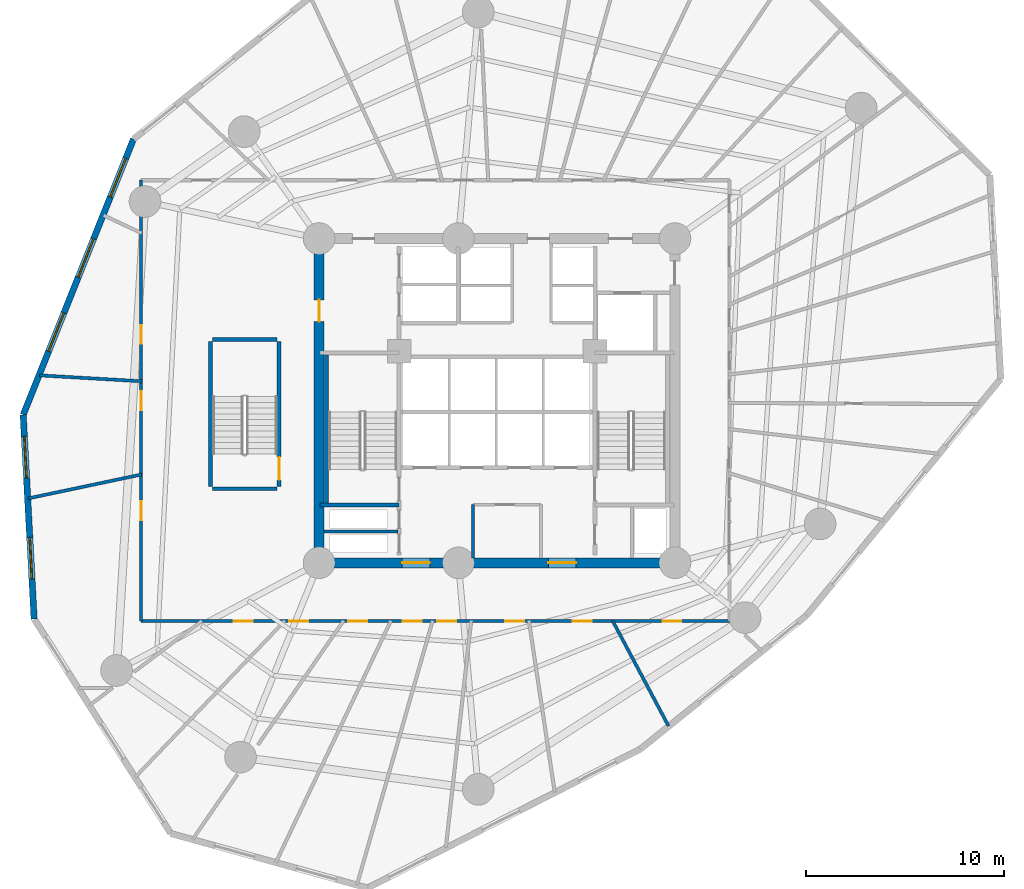
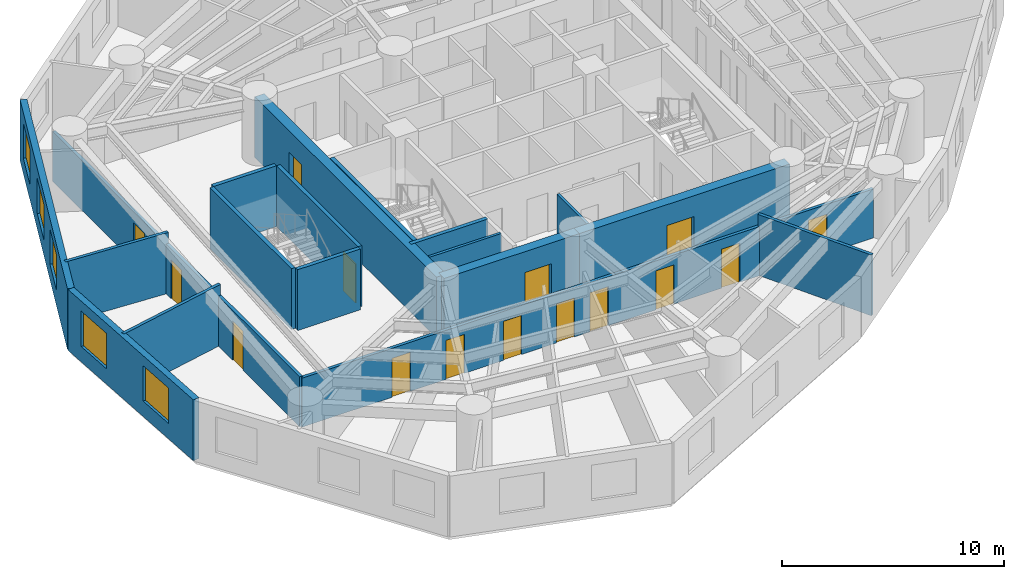
# One storey, part 3 of 8: 18 walls, 15 doors, 5 windows, 20 openings.
"""IFC4 building model written with IfcOpenShell, lengths in metres."""

import ifcopenshell
import ifcopenshell.guid

model = None  # the IFC model being written
_history = None  # IfcOwnerHistory: only IFC2X3 demands one
_inside = {}  # id of a spatial element -> (the spatial element, [elements in it])
_under = {}  # id of a project, library or spatial element -> (it, [spatial elements below it])
_declared = {}  # id of a project -> (the project, [libraries it declares])
_typed = {}  # id of a type object -> (the type object, [elements of that type])
_made_of = {}  # id of a material, layer set ... -> (it, [elements and type objects made of it])


def new_model(schema):
    """Start an empty IFC model of exactly this schema.

    Asked for "IFC4X3", IfcOpenShell would pick the latest addendum, in which some entities
    have other attributes; the version numbers below select the first issue.
    IFC2X3 requires an IfcOwnerHistory on every rooted entity: one is made here for all.
    """
    global model, _history
    if schema == "IFC4X3":
        model = ifcopenshell.file(schema_version=(4, 3, 0, 0))
    else:
        model = ifcopenshell.file(schema=schema)
    _inside.clear()
    _under.clear()
    _declared.clear()
    _typed.clear()
    _made_of.clear()
    _history = None
    if model.schema == "IFC2X3":
        org = make("IfcOrganization", Name="unknown")
        user = make(
            "IfcPersonAndOrganization",
            ThePerson=make("IfcPerson", FamilyName="unknown"),
            TheOrganization=org,
        )
        app = make(
            "IfcApplication",
            ApplicationDeveloper=org,
            Version="unknown",
            ApplicationFullName="unknown",
            ApplicationIdentifier="unknown",
        )
        _history = make(
            "IfcOwnerHistory",
            OwningUser=user,
            OwningApplication=app,
            ChangeAction="ADDED",
            CreationDate=0,
        )
    return model


def make(cls, **values):
    """One entity of the class cls with the attributes given. An attribute that is None is left unset."""
    return model.create_entity(
        cls, **{name: value for name, value in values.items() if value is not None}
    )


def rooted(cls, **values):
    """An entity with a GlobalId (a new one), such as an element, a storey or a relation."""
    return make(cls, GlobalId=ifcopenshell.guid.new(), OwnerHistory=_history, **values)


def si_unit(unit_type, name, prefix=None):
    """IfcSIUnit, for example si_unit("LENGTHUNIT", "METRE", prefix="MILLI")."""
    return make("IfcSIUnit", UnitType=unit_type, Prefix=prefix, Name=name)


def assignment(units):
    """IfcUnitAssignment: the units of a project."""
    return None if units is None else make("IfcUnitAssignment", Units=units)


def point(xyz):
    """IfcCartesianPoint."""
    return None if xyz is None else make("IfcCartesianPoint", Coordinates=xyz)


def direction(xyz):
    """IfcDirection."""
    return None if xyz is None else make("IfcDirection", DirectionRatios=xyz)


def frame(location, z_axis=None, x_axis=None):
    """IfcAxis2Placement3D, a coordinate frame: its origin and axes. An axis left out is left unset."""
    return make(
        "IfcAxis2Placement3D",
        Location=point(location),
        Axis=direction(z_axis),
        RefDirection=direction(x_axis),
    )


def frame_2d(location, x_axis=None):
    """IfcAxis2Placement2D, a coordinate frame in the plane: its origin and x axis."""
    return make(
        "IfcAxis2Placement2D", Location=point(location), RefDirection=direction(x_axis)
    )


def origin():
    """The frame at (0, 0, 0) with its axes left unset."""
    return frame((0.0, 0.0, 0.0))


def origin_with_axes():
    """The frame at (0, 0, 0) with the z axis (0, 0, 1) and the x axis (1, 0, 0) written out."""
    return frame((0.0, 0.0, 0.0), z_axis=(0.0, 0.0, 1.0), x_axis=(1.0, 0.0, 0.0))


def place(relative_to, where):
    """IfcLocalPlacement: puts the frame where relative to a parent placement (None: the world)."""
    return make(
        "IfcLocalPlacement", PlacementRelTo=relative_to, RelativePlacement=where
    )


def context(
    kind, dimensions, precision=None, world=None, true_north=None, identifier=None
):
    """IfcGeometricRepresentationContext, for example the 3D "Model" context."""
    return make(
        "IfcGeometricRepresentationContext",
        ContextIdentifier=identifier,
        ContextType=kind,
        CoordinateSpaceDimension=dimensions,
        Precision=precision,
        WorldCoordinateSystem=world,
        TrueNorth=true_north,
    )


def subcontext(parent, identifier, kind, view, scale=None):
    """IfcGeometricRepresentationSubContext, for example "Body" below "Model"."""
    return make(
        "IfcGeometricRepresentationSubContext",
        ContextIdentifier=identifier,
        ContextType=kind,
        ParentContext=parent,
        TargetScale=scale,
        TargetView=view,
    )


def project(units=None, contexts=None):
    """IfcProject with its units and contexts."""
    return rooted(
        "IfcProject",
        Name="project",
        RepresentationContexts=contexts,
        UnitsInContext=assignment(units),
    )


def spatial(cls, under=None, at=None, **own):
    """A site, building, storey or space (cls), placed at a placement, below another one or the project."""
    s = rooted(cls, ObjectPlacement=at, **own)
    if under is not None:
        _under.setdefault(under.id(), (under, []))[1].append(s)
    return s


def profile(cls, at=None, kind="AREA", **sizes):
    """A parametric profile (cls). Its sizes go by their IFC names, for example OverallWidth=200.0."""
    return make(cls, ProfileType=kind, Position=at, **sizes)


def rectangle(**sizes):
    """IfcRectangleProfileDef."""
    return profile("IfcRectangleProfileDef", **sizes)


def extrude(swept, where, along, depth):
    """IfcExtrudedAreaSolid: the profile swept, set in the frame where, extruded along a direction by depth."""
    return make(
        "IfcExtrudedAreaSolid",
        SweptArea=swept,
        Position=where,
        ExtrudedDirection=direction(along),
        Depth=depth,
    )


def shape(context_of_items, identifier, shape_type, items):
    """IfcShapeRepresentation: the items that make up one representation, for example the "Body"."""
    return make(
        "IfcShapeRepresentation",
        ContextOfItems=context_of_items,
        RepresentationIdentifier=identifier,
        RepresentationType=shape_type,
        Items=items,
    )


def source(mapping_origin, context_of_items, identifier, shape_type, items):
    """IfcRepresentationMap: a shape defined once, which mapped items show again and again."""
    return make(
        "IfcRepresentationMap",
        MappingOrigin=mapping_origin,
        MappedRepresentation=shape(context_of_items, identifier, shape_type, items),
    )


def transform(
    local_origin,
    x_axis=None,
    y_axis=None,
    z_axis=None,
    scale=None,
    scale2=None,
    scale3=None,
    uniform=True,
):
    """IfcCartesianTransformationOperator3D, or its non-uniform kind. x_axis, y_axis, z_axis: its Axis1, 2, 3."""
    if uniform:
        return make(
            "IfcCartesianTransformationOperator3D",
            Axis1=direction(x_axis),
            Axis2=direction(y_axis),
            LocalOrigin=point(local_origin),
            Scale=scale,
            Axis3=direction(z_axis),
        )
    return make(
        "IfcCartesianTransformationOperator3DnonUniform",
        Axis1=direction(x_axis),
        Axis2=direction(y_axis),
        LocalOrigin=point(local_origin),
        Scale=scale,
        Axis3=direction(z_axis),
        Scale2=scale2,
        Scale3=scale3,
    )


def mapped(mapping_source, mapping_target):
    """IfcMappedItem: shows the shape of a source again, moved by a transform."""
    return make(
        "IfcMappedItem", MappingSource=mapping_source, MappingTarget=mapping_target
    )


def material(Name=None, Category=None):
    """IfcMaterial."""
    return make("IfcMaterial", Name=Name, Category=Category)


def layer(
    of_material, thickness, ventilated=None, Name=None, Category=None, Priority=None
):
    """IfcMaterialLayer: one layer of a wall or slab, of a material (None: an air gap)."""
    return make(
        "IfcMaterialLayer",
        Material=of_material,
        LayerThickness=thickness,
        IsVentilated=ventilated,
        Name=Name,
        Category=Category,
        Priority=Priority,
    )


def layer_set(layers, Name=None):
    """IfcMaterialLayerSet."""
    return make("IfcMaterialLayerSet", MaterialLayers=layers, LayerSetName=Name)


def made_of(thing, what):
    """Note that an element or type object is made of a material, layer set ...; save() writes the relation."""
    if what is not None:
        _made_of.setdefault(what.id(), (what, []))[1].append(thing)
    return thing


def type_object(cls, material=None, **own):
    """A type object (cls), such as IfcWallType, which elements share."""
    return made_of(rooted(cls, **own), material)


def element(
    cls,
    number,
    at=None,
    inside=None,
    cuts=None,
    type_object=None,
    material=None,
    context=None,
    identifier="Body",
    shape_type=None,
    held_by="IfcProductDefinitionShape",
    body=None,
    shapes=None,
    **own,
):
    """One element of the class cls, such as IfcWall. Its Tag is "e" and its number.

    at: its placement. inside: the storey or other place that contains it. cuts: it is an
    opening in that element (IfcRelVoidsElement). A single representation is given by context,
    identifier, shape_type and body (its items); several are given by shapes. held_by: the class
    of the entity that holds the representations. save() writes the other relations.
    """
    e = rooted(cls, Tag="e%d" % number, ObjectPlacement=at, **own)
    if body is not None:
        shapes = [shape(context, identifier, shape_type, body)]
    if shapes is not None:
        e.Representation = make(held_by, Representations=shapes)
    if inside is not None:
        _inside.setdefault(inside.id(), (inside, []))[1].append(e)
    if cuts is not None:
        rooted(
            "IfcRelVoidsElement", RelatingBuildingElement=cuts, RelatedOpeningElement=e
        )
    if type_object is not None:
        _typed.setdefault(type_object.id(), (type_object, []))[1].append(e)
    return made_of(e, material)


def fill(opening, filler):
    """IfcRelFillsElement: the door or window that sits in an opening."""
    return rooted(
        "IfcRelFillsElement",
        RelatingOpeningElement=opening,
        RelatedBuildingElement=filler,
    )


def aggregate(whole, parts):
    """IfcRelAggregates: a whole, such as a stair, and the parts it consists of."""
    return rooted("IfcRelAggregates", RelatingObject=whole, RelatedObjects=parts)


def save(model, path):
    """Write the relations noted so far, then the file.

    IfcRelAggregates (storeys below a building ...), IfcRelContainedInSpatialStructure (elements
    in a storey), IfcRelDefinesByType, IfcRelAssociatesMaterial and IfcRelDeclares: one each for
    every whole, place, type object, material and project.
    """
    for whole, parts in _under.values():
        aggregate(whole, parts)
    for where, things in _inside.values():
        rooted(
            "IfcRelContainedInSpatialStructure",
            RelatedElements=things,
            RelatingStructure=where,
        )
    for kind, things in _typed.values():
        rooted("IfcRelDefinesByType", RelatedObjects=things, RelatingType=kind)
    for what, things in _made_of.values():
        rooted("IfcRelAssociatesMaterial", RelatedObjects=things, RelatingMaterial=what)
    for by, libraries in _declared.values():
        rooted("IfcRelDeclares", RelatingContext=by, RelatedDefinitions=libraries)
    model.write(path)


model = new_model("IFC4")

# Units and contexts
model_context = context("Model", 3, precision=1e-05, world=origin(), true_north=direction((0.0, 1.0)))
body_context = subcontext(model_context, "Body", "Model", "MODEL_VIEW")
ifc_project = project(units=[si_unit("LENGTHUNIT", "METRE"), si_unit("AREAUNIT", "SQUARE_METRE"), si_unit("VOLUMEUNIT", "CUBIC_METRE"), si_unit("PLANEANGLEUNIT", "RADIAN"), si_unit("MASSUNIT", "GRAM", prefix="KILO")], contexts=[model_context])

# Site, building, storey
site_placement = place(None, origin())
site = spatial("IfcSite", under=ifc_project, at=site_placement, CompositionType="ELEMENT")
building_placement = place(site_placement, origin())
building = spatial("IfcBuilding", under=site, at=building_placement, Name="Karkom Vertical University and Central Library", CompositionType="ELEMENT")
storey_placement = place(building_placement, frame((0.0, 0.0, 55.300048828125)))
storey = spatial("IfcBuildingStorey", under=building, at=storey_placement, Name="L14", CompositionType="ELEMENT", Elevation=55.300048828125)

# Wall, openings, windows
ifc_material_1 = material(Name="Brick-faced precast concrete C45/55", Category="masonry")
ifc_layer_1 = layer(ifc_material_1, 0.320068359375)
ifc_layer_set_1 = layer_set([ifc_layer_1], Name="Brick-faced precast concrete C45/55")
wall_type_1 = type_object("IfcWallType", Name="ENV-WL-BRK-320", PredefinedType="SOLIDWALL", material=ifc_layer_set_1)
wall_1_placement = place(storey_placement, frame((10.117919921875, 39.736083984375, 0.0), z_axis=(0.0, 0.0, 1.0), x_axis=(-0.371586779143, -0.928398225745, 0.0)))
wall_1 = element("IfcWall", 1, at=wall_1_placement, inside=storey, type_object=wall_type_1, Name="Level 14 Brick-Faced Precast Facade Wall 02", PredefinedType="SOLIDWALL", context=body_context, shape_type="SweptSolid", body=[
    extrude(rectangle(XDim=15.024658203125, YDim=0.320068359375, at=frame_2d((7.51220703125, 0.0))), origin(), (0.0, 0.0, 1.0), 3.349853515625),
])
opening_1_placement = place(wall_1_placement, frame((1.055908203125, 0.0, 0.85009765625)))
opening_1 = element("IfcOpeningElement", 2, at=opening_1_placement, cuts=wall_1, Name="Opening WN-03", PredefinedType="OPENING", context=body_context, shape_type="SweptSolid", body=[
    extrude(rectangle(XDim=2.10009765625, YDim=1.949951171875, at=frame_2d((1.050048828125, 0.97509765625))), frame((0.0, 0.169921875, 0.0), z_axis=(0.0, -1.0, 0.0), x_axis=(1.0, 0.0, 0.0)), (0.0, 0.0, 1.0), 0.340087890625),
])
opening_2_placement = place(wall_1_placement, frame((5.4375, 0.0, 0.85009765625)))
opening_2 = element("IfcOpeningElement", 3, at=opening_2_placement, cuts=wall_1, Name="Opening WN-03", PredefinedType="OPENING", context=body_context, shape_type="SweptSolid", body=[
    extrude(rectangle(XDim=2.10009765625, YDim=1.949951171875, at=frame_2d((1.050048828125, 0.97509765625))), frame((0.0, 0.169921875, 0.0), z_axis=(0.0, -1.0, 0.0), x_axis=(1.0, 0.0, 0.0)), (0.0, 0.0, 1.0), 0.340087890625),
])
opening_3_placement = place(wall_1_placement, frame((9.46923828125, 0.0, 0.85009765625)))
opening_3 = element("IfcOpeningElement", 4, at=opening_3_placement, cuts=wall_1, Name="Opening WN-03", PredefinedType="OPENING", context=body_context, shape_type="SweptSolid", body=[
    extrude(rectangle(XDim=2.10009765625, YDim=1.949951171875, at=frame_2d((1.050048828125, 0.97509765625))), frame((0.0, 0.169921875, 0.0), z_axis=(0.0, -1.0, 0.0), x_axis=(1.0, 0.0, 0.0)), (0.0, 0.0, 1.0), 0.340087890625),
])
ifc_material_2 = material(Name="Aluminium thermal-break frame with solar-control IGU", Category="aluminium")
window_type = type_object("IfcWindowType", Name="ENV-WIN-WN-03", PartitioningType="SINGLE_PANEL", PredefinedType="WINDOW", material=ifc_material_2)
shared_shape_1 = source(origin_with_axes(), body_context, "Body", "SweptSolid", [
    extrude(rectangle(XDim=2.10009765625, YDim=1.949951171875, at=frame_2d((1.050048828125, 0.97509765625))), frame((0.0, 0.030029296875, 0.0), z_axis=(0.0, -1.0, 0.0), x_axis=(1.0, 0.0, 0.0)), (0.0, 0.0, 1.0), 0.06005859375),
])
window_1_placement = place(opening_1_placement, origin())
window_1 = element("IfcWindow", 5, at=window_1_placement, inside=storey, type_object=window_type, Name="Level 14 Punched Window 2.1", OverallHeight=1.949951171875, OverallWidth=2.10009765625, PartitioningType="SINGLE_PANEL", PredefinedType="WINDOW", context=body_context, shape_type="MappedRepresentation", body=[
    mapped(shared_shape_1, transform((0.0, 0.0, 0.0), scale=1.0)),
])
fill(opening_1, window_1)
window_2_placement = place(opening_2_placement, origin())
window_2 = element("IfcWindow", 6, at=window_2_placement, inside=storey, type_object=window_type, Name="Level 14 Punched Window 2.2", OverallHeight=1.949951171875, OverallWidth=2.10009765625, PartitioningType="SINGLE_PANEL", PredefinedType="WINDOW", context=body_context, shape_type="MappedRepresentation", body=[
    mapped(shared_shape_1, transform((0.0, 0.0, 0.0), scale=1.0)),
])
fill(opening_2, window_2)
window_3_placement = place(opening_3_placement, origin())
window_3 = element("IfcWindow", 7, at=window_3_placement, inside=storey, type_object=window_type, Name="Level 14 Punched Window 2.3", OverallHeight=1.949951171875, OverallWidth=2.10009765625, PartitioningType="SINGLE_PANEL", PredefinedType="WINDOW", context=body_context, shape_type="MappedRepresentation", body=[
    mapped(shared_shape_1, transform((0.0, 0.0, 0.0), scale=1.0)),
])
fill(opening_3, window_3)

wall_2_placement = place(storey_placement, frame((4.534912109375, 25.787109375, 0.0), z_axis=(0.0, 0.0, 1.0), x_axis=(0.053473721023, -0.998569257067, 0.0)))
wall_2 = element("IfcWall", 8, at=wall_2_placement, inside=storey, type_object=wall_type_1, Name="Level 14 Brick-Faced Precast Facade Wall 03", PredefinedType="SOLIDWALL", context=body_context, shape_type="SweptSolid", body=[
    extrude(rectangle(XDim=10.350341796875, YDim=0.320068359375, at=frame_2d((5.17529296875, 0.0))), origin(), (0.0, 0.0, 1.0), 3.349853515625),
])
opening_4_placement = place(wall_2_placement, frame((1.09619140625, 0.0, 0.85009765625)))
opening_4 = element("IfcOpeningElement", 9, at=opening_4_placement, cuts=wall_2, Name="Opening WN-03", PredefinedType="OPENING", context=body_context, shape_type="SweptSolid", body=[
    extrude(rectangle(XDim=2.10009765625, YDim=1.949951171875, at=frame_2d((1.050048828125, 0.97509765625))), frame((0.0, 0.169921875, 0.0), z_axis=(0.0, -1.0, 0.0), x_axis=(1.0, 0.0, 0.0)), (0.0, 0.0, 1.0), 0.340087890625),
])
opening_5_placement = place(wall_2_placement, frame((6.21142578125, 0.0, 0.85009765625)))
opening_5 = element("IfcOpeningElement", 10, at=opening_5_placement, cuts=wall_2, Name="Opening WN-03", PredefinedType="OPENING", context=body_context, shape_type="SweptSolid", body=[
    extrude(rectangle(XDim=2.10009765625, YDim=1.949951171875, at=frame_2d((1.050048828125, 0.97509765625))), frame((0.0, 0.169921875, 0.0), z_axis=(0.0, -1.0, 0.0), x_axis=(1.0, 0.0, 0.0)), (0.0, 0.0, 1.0), 0.340087890625),
])
window_4_placement = place(opening_4_placement, origin())
window_4 = element("IfcWindow", 11, at=window_4_placement, inside=storey, type_object=window_type, Name="Level 14 Punched Window 3.1", OverallHeight=1.949951171875, OverallWidth=2.10009765625, PartitioningType="SINGLE_PANEL", PredefinedType="WINDOW", context=body_context, shape_type="MappedRepresentation", body=[
    mapped(shared_shape_1, transform((0.0, 0.0, 0.0), scale=1.0)),
])
fill(opening_4, window_4)
window_5_placement = place(opening_5_placement, origin())
window_5 = element("IfcWindow", 12, at=window_5_placement, inside=storey, type_object=window_type, Name="Level 14 Punched Window 3.2", OverallHeight=1.949951171875, OverallWidth=2.10009765625, PartitioningType="SINGLE_PANEL", PredefinedType="WINDOW", context=body_context, shape_type="MappedRepresentation", body=[
    mapped(shared_shape_1, transform((0.0, 0.0, 0.0), scale=1.0)),
])
fill(opening_5, window_5)

# Wall, openings, doors
ifc_material_3 = material(Name="Insulated metal-stud drywall 160mm", Category="gypsum")
ifc_layer_2 = layer(ifc_material_3, 0.159912109375)
ifc_layer_set_2 = layer_set([ifc_layer_2], Name="Insulated metal-stud drywall 160mm")
wall_type_2 = type_object("IfcWallType", Name="INT-WL-COR-160", PredefinedType="PARTITIONING", material=ifc_layer_set_2)
wall_3_placement = place(storey_placement, frame((40.25, 15.35009765625, 0.0), z_axis=(0.0, 0.0, 1.0), x_axis=(-1.0, 0.0, 0.0)))
wall_3 = element("IfcWall", 13, at=wall_3_placement, inside=storey, type_object=wall_type_2, Name="Level 14 Interior Partition Wall L14-CORW-CW-001", PredefinedType="PARTITIONING", context=body_context, shape_type="SweptSolid", body=[
    extrude(rectangle(XDim=29.75, YDim=0.159912109375, at=frame_2d((14.875, 0.0))), origin(), (0.0, 0.0, 1.0), 2.699951171875),
])
opening_6_placement = place(wall_3_placement, frame((24.112060546875, 0.0, 0.0)))
opening_6 = element("IfcOpeningElement", 14, at=opening_6_placement, cuts=wall_3, Name="Opening D-RM1", PredefinedType="OPENING", context=body_context, shape_type="SweptSolid", body=[
    extrude(rectangle(XDim=0.949951171875, YDim=2.14990234375, at=frame_2d((0.47509765625, 1.074951171875))), frame((0.0, 0.08984375, 0.0), z_axis=(0.0, -1.0, 0.0), x_axis=(1.0, 0.0, 0.0)), (0.0, 0.0, 1.0), 0.179931640625),
])
opening_7_placement = place(wall_3_placement, frame((21.297607421875, 0.0, 0.0)))
opening_7 = element("IfcOpeningElement", 15, at=opening_7_placement, cuts=wall_3, Name="Opening D-RM1", PredefinedType="OPENING", context=body_context, shape_type="SweptSolid", body=[
    extrude(rectangle(XDim=0.949951171875, YDim=2.14990234375, at=frame_2d((0.47509765625, 1.074951171875))), frame((0.0, 0.08984375, 0.0), z_axis=(0.0, -1.0, 0.0), x_axis=(1.0, 0.0, 0.0)), (0.0, 0.0, 1.0), 0.179931640625),
])
opening_8_placement = place(wall_3_placement, frame((18.322509765625, 0.0, 0.0)))
opening_8 = element("IfcOpeningElement", 16, at=opening_8_placement, cuts=wall_3, Name="Opening D-RM1", PredefinedType="OPENING", context=body_context, shape_type="SweptSolid", body=[
    extrude(rectangle(XDim=0.949951171875, YDim=2.14990234375, at=frame_2d((0.47509765625, 1.074951171875))), frame((0.0, 0.08984375, 0.0), z_axis=(0.0, -1.0, 0.0), x_axis=(1.0, 0.0, 0.0)), (0.0, 0.0, 1.0), 0.179931640625),
])
opening_9_placement = place(wall_3_placement, frame((15.556396484375, 0.0, 0.0)))
opening_9 = element("IfcOpeningElement", 17, at=opening_9_placement, cuts=wall_3, Name="Opening D-RM1", PredefinedType="OPENING", context=body_context, shape_type="SweptSolid", body=[
    extrude(rectangle(XDim=0.949951171875, YDim=2.14990234375, at=frame_2d((0.47509765625, 1.074951171875))), frame((0.0, 0.08984375, 0.0), z_axis=(0.0, -1.0, 0.0), x_axis=(1.0, 0.0, 0.0)), (0.0, 0.0, 1.0), 0.179931640625),
])
opening_10_placement = place(wall_3_placement, frame((13.81005859375, 0.0, 0.0)))
opening_10 = element("IfcOpeningElement", 18, at=opening_10_placement, cuts=wall_3, Name="Opening D-RM1", PredefinedType="OPENING", context=body_context, shape_type="SweptSolid", body=[
    extrude(rectangle(XDim=0.949951171875, YDim=2.14990234375, at=frame_2d((0.47509765625, 1.074951171875))), frame((0.0, 0.08984375, 0.0), z_axis=(0.0, -1.0, 0.0), x_axis=(1.0, 0.0, 0.0)), (0.0, 0.0, 1.0), 0.179931640625),
])
opening_11_placement = place(wall_3_placement, frame((10.37744140625, 0.0, 0.0)))
opening_11 = element("IfcOpeningElement", 19, at=opening_11_placement, cuts=wall_3, Name="Opening D-RM1", PredefinedType="OPENING", context=body_context, shape_type="SweptSolid", body=[
    extrude(rectangle(XDim=0.949951171875, YDim=2.14990234375, at=frame_2d((0.47509765625, 1.074951171875))), frame((0.0, 0.08984375, 0.0), z_axis=(0.0, -1.0, 0.0), x_axis=(1.0, 0.0, 0.0)), (0.0, 0.0, 1.0), 0.179931640625),
])
opening_12_placement = place(wall_3_placement, frame((6.96240234375, 0.0, 0.0)))
opening_12 = element("IfcOpeningElement", 20, at=opening_12_placement, cuts=wall_3, Name="Opening D-RM1", PredefinedType="OPENING", context=body_context, shape_type="SweptSolid", body=[
    extrude(rectangle(XDim=0.949951171875, YDim=2.14990234375, at=frame_2d((0.47509765625, 1.074951171875))), frame((0.0, 0.08984375, 0.0), z_axis=(0.0, -1.0, 0.0), x_axis=(1.0, 0.0, 0.0)), (0.0, 0.0, 1.0), 0.179931640625),
])
opening_13_placement = place(wall_3_placement, frame((2.425048828125, 0.0, 0.0)))
opening_13 = element("IfcOpeningElement", 21, at=opening_13_placement, cuts=wall_3, Name="Opening D-RM1", PredefinedType="OPENING", context=body_context, shape_type="SweptSolid", body=[
    extrude(rectangle(XDim=0.949951171875, YDim=2.14990234375, at=frame_2d((0.47509765625, 1.074951171875))), frame((0.0, 0.08984375, 0.0), z_axis=(0.0, -1.0, 0.0), x_axis=(1.0, 0.0, 0.0)), (0.0, 0.0, 1.0), 0.179931640625),
])
ifc_material_4 = material(Name="Solid-core oak veneer door", Category="wood")
door_type_1 = type_object("IfcDoorType", Name="INT-DR-RM1", OperationType="NOTDEFINED", PredefinedType="DOOR", material=ifc_material_4)
shared_shape_2 = source(origin_with_axes(), body_context, "Body", "SweptSolid", [
    extrude(rectangle(XDim=0.949951171875, YDim=2.14990234375, at=frame_2d((0.47509765625, 1.074951171875))), frame((0.0, 0.02490234375, 0.0), z_axis=(0.0, -1.0, 0.0), x_axis=(1.0, 0.0, 0.0)), (0.0, 0.0, 1.0), 0.050048828125),
])
door_1_placement = place(opening_6_placement, origin())
door_1 = element("IfcDoor", 22, at=door_1_placement, inside=storey, type_object=door_type_1, Name="Level 14 Room Entry Door 020", OperationType="SINGLE_SWING_RIGHT", OverallHeight=2.14990234375, OverallWidth=0.949951171875, PredefinedType="DOOR", context=body_context, shape_type="MappedRepresentation", body=[
    mapped(shared_shape_2, transform((0.0, 0.0, 0.0), scale=1.0)),
])
fill(opening_6, door_1)
door_2_placement = place(opening_7_placement, origin())
door_2 = element("IfcDoor", 23, at=door_2_placement, inside=storey, type_object=door_type_1, Name="Level 14 Room Entry Door 030", OperationType="SINGLE_SWING_LEFT", OverallHeight=2.14990234375, OverallWidth=0.949951171875, PredefinedType="DOOR", context=body_context, shape_type="MappedRepresentation", body=[
    mapped(shared_shape_2, transform((0.0, 0.0, 0.0), scale=1.0)),
])
fill(opening_7, door_2)
door_3_placement = place(opening_8_placement, origin())
door_3 = element("IfcDoor", 24, at=door_3_placement, inside=storey, type_object=door_type_1, Name="Level 14 Room Entry Door 040", OperationType="SINGLE_SWING_RIGHT", OverallHeight=2.14990234375, OverallWidth=0.949951171875, PredefinedType="DOOR", context=body_context, shape_type="MappedRepresentation", body=[
    mapped(shared_shape_2, transform((0.0, 0.0, 0.0), scale=1.0)),
])
fill(opening_8, door_3)
door_4_placement = place(opening_9_placement, origin())
door_4 = element("IfcDoor", 25, at=door_4_placement, inside=storey, type_object=door_type_1, Name="Level 14 Room Entry Door 050", OperationType="SINGLE_SWING_LEFT", OverallHeight=2.14990234375, OverallWidth=0.949951171875, PredefinedType="DOOR", context=body_context, shape_type="MappedRepresentation", body=[
    mapped(shared_shape_2, transform((0.0, 0.0, 0.0), scale=1.0)),
])
fill(opening_9, door_4)
door_5_placement = place(opening_10_placement, origin())
door_5 = element("IfcDoor", 26, at=door_5_placement, inside=storey, type_object=door_type_1, Name="Level 14 Room Entry Door 060", OperationType="SINGLE_SWING_RIGHT", OverallHeight=2.14990234375, OverallWidth=0.949951171875, PredefinedType="DOOR", context=body_context, shape_type="MappedRepresentation", body=[
    mapped(shared_shape_2, transform((0.0, 0.0, 0.0), scale=1.0)),
])
fill(opening_10, door_5)
door_6_placement = place(opening_11_placement, origin())
door_6 = element("IfcDoor", 27, at=door_6_placement, inside=storey, type_object=door_type_1, Name="Level 14 Room Entry Door 070", OperationType="SINGLE_SWING_LEFT", OverallHeight=2.14990234375, OverallWidth=0.949951171875, PredefinedType="DOOR", context=body_context, shape_type="MappedRepresentation", body=[
    mapped(shared_shape_2, transform((0.0, 0.0, 0.0), scale=1.0)),
])
fill(opening_11, door_6)
door_7_placement = place(opening_12_placement, origin())
door_7 = element("IfcDoor", 28, at=door_7_placement, inside=storey, type_object=door_type_1, Name="Level 14 Room Entry Door 080", OperationType="SINGLE_SWING_RIGHT", OverallHeight=2.14990234375, OverallWidth=0.949951171875, PredefinedType="DOOR", context=body_context, shape_type="MappedRepresentation", body=[
    mapped(shared_shape_2, transform((0.0, 0.0, 0.0), scale=1.0)),
])
fill(opening_12, door_7)
door_8_placement = place(opening_13_placement, origin())
door_8 = element("IfcDoor", 29, at=door_8_placement, inside=storey, type_object=door_type_1, Name="Level 14 Room Entry Door 090", OperationType="SINGLE_SWING_LEFT", OverallHeight=2.14990234375, OverallWidth=0.949951171875, PredefinedType="DOOR", context=body_context, shape_type="MappedRepresentation", body=[
    mapped(shared_shape_2, transform((0.0, 0.0, 0.0), scale=1.0)),
])
fill(opening_13, door_8)

wall_4_placement = place(storey_placement, frame((10.5, 15.35009765625, 0.0), z_axis=(0.0, 0.0, 1.0), x_axis=(0.0, 1.0, 0.0)))
wall_4 = element("IfcWall", 30, at=wall_4_placement, inside=storey, type_object=wall_type_2, Name="Level 14 Interior Partition Wall L14-CORW-CW-002", PredefinedType="PARTITIONING", context=body_context, shape_type="SweptSolid", body=[
    extrude(rectangle(XDim=22.2998046875, YDim=0.159912109375, at=frame_2d((11.14990234375, 0.0))), origin(), (0.0, 0.0, 1.0), 2.75),
])
opening_14_placement = place(wall_4_placement, frame((10.675048828125, 0.0, 0.0)))
opening_14 = element("IfcOpeningElement", 31, at=opening_14_placement, cuts=wall_4, Name="Opening D-RM1", PredefinedType="OPENING", context=body_context, shape_type="SweptSolid", body=[
    extrude(rectangle(XDim=0.949951171875, YDim=2.14990234375, at=frame_2d((0.47509765625, 1.074951171875))), frame((0.0, 0.08984375, 0.0), z_axis=(0.0, -1.0, 0.0), x_axis=(1.0, 0.0, 0.0)), (0.0, 0.0, 1.0), 0.179931640625),
])
opening_15_placement = place(wall_4_placement, frame((5.10009765625, 0.0, 0.0)))
opening_15 = element("IfcOpeningElement", 32, at=opening_15_placement, cuts=wall_4, Name="Opening FD-RM2", PredefinedType="OPENING", context=body_context, shape_type="SweptSolid", body=[
    extrude(rectangle(XDim=0.9599609375, YDim=2.14990234375, at=frame_2d((0.47998046875, 1.074951171875))), frame((0.0, 0.08984375, 0.0), z_axis=(0.0, -1.0, 0.0), x_axis=(1.0, 0.0, 0.0)), (0.0, 0.0, 1.0), 0.179931640625),
])
opening_16_placement = place(wall_4_placement, frame((14.02001953125, 0.0, 0.0)))
opening_16 = element("IfcOpeningElement", 33, at=opening_16_placement, cuts=wall_4, Name="Opening D-RM1", PredefinedType="OPENING", context=body_context, shape_type="SweptSolid", body=[
    extrude(rectangle(XDim=0.949951171875, YDim=2.14990234375, at=frame_2d((0.47509765625, 1.074951171875))), frame((0.0, 0.08984375, 0.0), z_axis=(0.0, -1.0, 0.0), x_axis=(1.0, 0.0, 0.0)), (0.0, 0.0, 1.0), 0.179931640625),
])
ifc_material_5 = material(Name="Fire-rated oak veneer door", Category="wood")
door_type_2 = type_object("IfcDoorType", Name="INT-DR-FRM2", OperationType="NOTDEFINED", PredefinedType="DOOR", material=ifc_material_5)
shared_shape_3 = source(origin_with_axes(), body_context, "Body", "SweptSolid", [
    extrude(rectangle(XDim=0.9599609375, YDim=2.14990234375, at=frame_2d((0.47998046875, 1.074951171875))), frame((0.0, 0.02490234375, 0.0), z_axis=(0.0, -1.0, 0.0), x_axis=(1.0, 0.0, 0.0)), (0.0, 0.0, 1.0), 0.050048828125),
])
door_9_placement = place(opening_15_placement, origin())
door_9 = element("IfcDoor", 34, at=door_9_placement, inside=storey, type_object=door_type_2, Name="Level 14 Room Entry Door 010", OperationType="SINGLE_SWING_LEFT", OverallHeight=2.14990234375, OverallWidth=0.9599609375, PredefinedType="DOOR", context=body_context, shape_type="MappedRepresentation", body=[
    mapped(shared_shape_3, transform((0.0, 0.0, 0.0), scale=1.0)),
])
fill(opening_15, door_9)
door_10_placement = place(opening_14_placement, origin())
door_10 = element("IfcDoor", 35, at=door_10_placement, inside=storey, type_object=door_type_1, Name="Level 14 Room Entry Door 000", OperationType="SINGLE_SWING_RIGHT", OverallHeight=2.14990234375, OverallWidth=0.949951171875, PredefinedType="DOOR", context=body_context, shape_type="MappedRepresentation", body=[
    mapped(shared_shape_2, transform((0.0, 0.0, 0.0), scale=1.0)),
])
fill(opening_14, door_10)
door_11_placement = place(opening_16_placement, origin())
door_11 = element("IfcDoor", 36, at=door_11_placement, inside=storey, type_object=door_type_1, Name="Level 14 Room Entry Door 280", OperationType="SINGLE_SWING_LEFT", OverallHeight=2.14990234375, OverallWidth=0.949951171875, PredefinedType="DOOR", context=body_context, shape_type="MappedRepresentation", body=[
    mapped(shared_shape_2, transform((0.0, 0.0, 0.0), scale=1.0)),
])
fill(opening_16, door_11)

# Walls
wall_5_placement = place(storey_placement, frame((34.341552734375, 15.37646484375, 0.0), z_axis=(0.0, 0.0, 1.0), x_axis=(0.469170018206, -0.883107860919, 0.0)))
element("IfcWall", 37, at=wall_5_placement, inside=storey, type_object=wall_type_2, Name="Level 14 Interior Partition Wall L14-PW-013", PredefinedType="PARTITIONING", context=body_context, shape_type="SweptSolid", body=[
    extrude(rectangle(XDim=6.03369140625, YDim=0.159912109375, at=frame_2d((3.016845703125, 0.0))), origin(), (0.0, 0.0, 1.0), 3.349853515625),
])
wall_6_placement = place(storey_placement, frame((10.529296875, 22.7685546875, 0.0), z_axis=(0.0, 0.0, 1.0), x_axis=(-0.978443718799, -0.206513653647, 0.0)))
element("IfcWall", 38, at=wall_6_placement, inside=storey, type_object=wall_type_2, Name="Level 14 Interior Partition Wall L14-PW-001", PredefinedType="PARTITIONING", context=body_context, shape_type="SweptSolid", body=[
    extrude(rectangle(XDim=5.868408203125, YDim=0.159912109375, at=frame_2d((2.93408203125, 0.0))), origin(), (0.0, 0.0, 1.0), 3.349853515625),
])
wall_7_placement = place(storey_placement, frame((5.363525390625, 27.78076171875, 0.0), z_axis=(0.0, 0.0, 1.0), x_axis=(0.99832492802, -0.057856184577, 0.0)))
element("IfcWall", 39, at=wall_7_placement, inside=storey, type_object=wall_type_2, Name="Level 14 Interior Partition Wall L14-PW-002", PredefinedType="PARTITIONING", context=body_context, shape_type="SweptSolid", body=[
    extrude(rectangle(XDim=5.1904296875, YDim=0.159912109375, at=frame_2d((2.59521484375, 0.0))), origin(), (0.0, 0.0, 1.0), 3.349853515625),
])
ifc_material_6 = material(Name="Metal-stud gypsum partition 140mm", Category="gypsum")
ifc_layer_3 = layer(ifc_material_6, 0.139892578125)
ifc_layer_set_3 = layer_set([ifc_layer_3], Name="Metal-stud gypsum partition 140mm")
wall_type_3 = type_object("IfcWallType", Name="INT-WL-SUB-140", PredefinedType="PARTITIONING", material=ifc_layer_set_3)
wall_8_placement = place(storey_placement, frame((27.280029296875, 18.550048828125, 0.0), z_axis=(0.0, 0.0, 1.0), x_axis=(0.0, 1.0, 0.0)))
element("IfcWall", 40, at=wall_8_placement, inside=storey, type_object=wall_type_3, Name="Level 14 Interior Partition Wall L14-CW-KBAY-W", PredefinedType="PARTITIONING", context=body_context, shape_type="SweptSolid", body=[
    extrude(rectangle(XDim=2.68994140625, YDim=0.139892578125, at=frame_2d((1.344970703125, 0.0))), origin(), (0.0, 0.0, 1.0), 3.349853515625),
])
ifc_layer_4 = layer(ifc_material_6, 0.139892578125)
ifc_layer_set_4 = layer_set([ifc_layer_4], Name="Metal-stud gypsum partition 140mm")
wall_type_4 = type_object("IfcWallType", Name="INT-WL-SUB-140H", PredefinedType="PARTITIONING", material=ifc_layer_set_4)
wall_9_placement = place(storey_placement, frame((19.757080078125, 19.889892578125, 0.0), z_axis=(0.0, 0.0, 1.0), x_axis=(1.0, 0.0, 0.0)))
element("IfcWall", 41, at=wall_9_placement, inside=storey, type_object=wall_type_4, Name="Level 14 Interior Partition Wall L14-CW-RIS-W", PredefinedType="PARTITIONING", context=body_context, shape_type="SweptSolid", body=[
    extrude(rectangle(XDim=3.7392578125, YDim=0.139892578125, at=frame_2d((1.86962890625, 0.0))), origin(), (0.0, 0.0, 1.0), 3.349853515625),
])

# Wall, opening, door
ifc_material_7 = material(Name="Concrete C50/60", Category="concrete")
ifc_layer_5 = layer(ifc_material_7, 0.5)
ifc_layer_set_5 = layer_set([ifc_layer_5], Name="Concrete C50/60")
wall_type_5 = type_object("IfcWallType", Name="STR-WL-CW-500", PredefinedType="SHEAR", material=ifc_layer_set_5)
wall_10_placement = place(storey_placement, frame((19.5, 18.300048828125, 0.0), z_axis=(0.0, 0.0, 1.0), x_axis=(1.0, 0.0, 0.0)))
wall_10 = element("IfcWall", 42, at=wall_10_placement, inside=storey, type_object=wall_type_5, Name="Level 14 Central Core Shear Wall SW1", PredefinedType="SHEAR", context=body_context, shape_type="SweptSolid", body=[
    extrude(rectangle(XDim=7.050048828125, YDim=0.5, at=frame_2d((3.52490234375, 0.0))), origin(), (0.0, 0.0, 1.0), 3.349853515625),
])
opening_17_placement = place(wall_10_placement, frame((4.199951171875, 0.0, 0.0)))
opening_17 = element("IfcOpeningElement", 43, at=opening_17_placement, cuts=wall_10, Name="Opening FD-CLB", PredefinedType="OPENING", context=body_context, shape_type="SweptSolid", body=[
    extrude(rectangle(XDim=1.39990234375, YDim=2.199951171875, at=frame_2d((0.699951171875, 1.10009765625))), frame((0.0, 0.260009765625, 0.0), z_axis=(0.0, -1.0, 0.0), x_axis=(1.0, 0.0, 0.0)), (0.0, 0.0, 1.0), 0.52001953125),
])
ifc_material_8 = material(Name="Painted steel fire door", Category="steel")
door_type_3 = type_object("IfcDoorType", Name="INT-DR-CLB", OperationType="DOUBLE_DOOR_SINGLE_SWING", PredefinedType="DOOR", material=ifc_material_8)
shared_shape_4 = source(origin_with_axes(), body_context, "Body", "SweptSolid", [
    extrude(rectangle(XDim=1.39990234375, YDim=2.199951171875, at=frame_2d((0.699951171875, 1.10009765625))), frame((0.0, 0.02490234375, 0.0), z_axis=(0.0, -1.0, 0.0), x_axis=(1.0, 0.0, 0.0)), (0.0, 0.0, 1.0), 0.050048828125),
])
door_12_placement = place(opening_17_placement, origin())
door_12 = element("IfcDoor", 44, at=door_12_placement, inside=storey, type_object=door_type_3, Name="Level 14 South Core Lobby West Exit Door", OperationType="DOUBLE_DOOR_SINGLE_SWING", OverallHeight=2.199951171875, OverallWidth=1.39990234375, PredefinedType="DOOR", context=body_context, shape_type="MappedRepresentation", body=[
    mapped(shared_shape_4, transform((0.0, 0.0, 0.0), scale=1.0)),
])
fill(opening_17, door_12)

wall_11_placement = place(storey_placement, frame((26.550048828125, 18.300048828125, 0.0), z_axis=(0.0, 0.0, 1.0), x_axis=(1.0, 0.0, 0.0)))
wall_11 = element("IfcWall", 45, at=wall_11_placement, inside=storey, type_object=wall_type_5, Name="Level 14 Central Core Shear Wall SW2", PredefinedType="SHEAR", context=body_context, shape_type="SweptSolid", body=[
    extrude(rectangle(XDim=10.949951171875, YDim=0.5, at=frame_2d((5.47509765625, 0.0))), origin(), (0.0, 0.0, 1.0), 3.349853515625),
])
opening_18_placement = place(wall_11_placement, frame((4.550048828125, 0.0, 0.0)))
opening_18 = element("IfcOpeningElement", 46, at=opening_18_placement, cuts=wall_11, Name="Opening FD-CLB", PredefinedType="OPENING", context=body_context, shape_type="SweptSolid", body=[
    extrude(rectangle(XDim=1.39990234375, YDim=2.199951171875, at=frame_2d((0.699951171875, 1.10009765625))), frame((0.0, 0.260009765625, 0.0), z_axis=(0.0, -1.0, 0.0), x_axis=(1.0, 0.0, 0.0)), (0.0, 0.0, 1.0), 0.52001953125),
])
door_13_placement = place(opening_18_placement, origin())
door_13 = element("IfcDoor", 47, at=door_13_placement, inside=storey, type_object=door_type_3, Name="Level 14 South Core Lobby East Exit Door", OperationType="DOUBLE_DOOR_SINGLE_SWING", OverallHeight=2.199951171875, OverallWidth=1.39990234375, PredefinedType="DOOR", context=body_context, shape_type="MappedRepresentation", body=[
    mapped(shared_shape_4, transform((0.0, 0.0, 0.0), scale=1.0)),
])
fill(opening_18, door_13)

wall_12_placement = place(storey_placement, frame((19.5, 34.699951171875, 0.0), z_axis=(0.0, 0.0, 1.0), x_axis=(0.0, -1.0, 0.0)))
wall_12 = element("IfcWall", 48, at=wall_12_placement, inside=storey, type_object=wall_type_5, Name="Level 14 Central Core Shear Wall WW", PredefinedType="SHEAR", context=body_context, shape_type="SweptSolid", body=[
    extrude(rectangle(XDim=16.39990234375, YDim=0.5, at=frame_2d((8.199951171875, 0.0))), origin(), (0.0, 0.0, 1.0), 3.349853515625),
])
opening_19_placement = place(wall_12_placement, frame((3.10009765625, 0.0, 0.0)))
opening_19 = element("IfcOpeningElement", 49, at=opening_19_placement, cuts=wall_12, Name="Opening FD-FFL", PredefinedType="OPENING", context=body_context, shape_type="SweptSolid", body=[
    extrude(rectangle(XDim=1.10009765625, YDim=2.14990234375, at=frame_2d((0.550048828125, 1.074951171875))), frame((0.0, 0.260009765625, 0.0), z_axis=(0.0, -1.0, 0.0), x_axis=(1.0, 0.0, 0.0)), (0.0, 0.0, 1.0), 0.52001953125),
])
ifc_material_9 = material(Name="Painted steel smoke-seal fire door", Category="steel")
door_type_4 = type_object("IfcDoorType", Name="INT-DR-FFL", OperationType="NOTDEFINED", PredefinedType="DOOR", material=ifc_material_9)
shared_shape_5 = source(origin_with_axes(), body_context, "Body", "SweptSolid", [
    extrude(rectangle(XDim=1.10009765625, YDim=2.14990234375, at=frame_2d((0.550048828125, 1.074951171875))), frame((0.0, 0.02490234375, 0.0), z_axis=(0.0, -1.0, 0.0), x_axis=(1.0, 0.0, 0.0)), (0.0, 0.0, 1.0), 0.050048828125),
])
door_14_placement = place(opening_19_placement, origin())
door_14 = element("IfcDoor", 50, at=door_14_placement, inside=storey, type_object=door_type_4, Name="Level 14 West Corridor Firefighting Lobby Door", OperationType="SINGLE_SWING_LEFT", OverallHeight=2.14990234375, OverallWidth=1.10009765625, PredefinedType="DOOR", context=body_context, shape_type="MappedRepresentation", body=[
    mapped(shared_shape_5, transform((0.0, 0.0, 0.0), scale=1.0)),
])
fill(opening_19, door_14)

# Walls
ifc_material_10 = material(Name="Concrete C45/55", Category="concrete")
ifc_layer_6 = layer(ifc_material_10, 0.199951171875)
ifc_layer_set_6 = layer_set([ifc_layer_6], Name="Concrete C45/55")
wall_type_6 = type_object("IfcWallType", Name="STR-WL-ST-200", PredefinedType="SHEAR", material=ifc_layer_set_6)
wall_13_placement = place(storey_placement, frame((19.875, 21.320068359375, 0.0), z_axis=(0.0, 0.0, 1.0), x_axis=(0.0, 1.0, 0.0)))
element("IfcWall", 51, at=wall_13_placement, inside=storey, type_object=wall_type_6, Name="Level 14 Core Shaft Wall L14-CW-ST1-W", PredefinedType="SHEAR", context=body_context, shape_type="SweptSolid", body=[
    extrude(rectangle(XDim=7.5, YDim=0.199951171875, at=frame_2d((3.75, 0.0))), origin(), (0.0, 0.0, 1.0), 3.349853515625),
])
wall_14_placement = place(storey_placement, frame((14.014892578125, 22.14990234375, 0.0), z_axis=(0.0, 0.0, 1.0), x_axis=(0.0, 1.0, 0.0)))
element("IfcWall", 52, at=wall_14_placement, inside=storey, type_object=wall_type_6, Name="Level 14 Core Shaft Wall L14-W-ST3-W", PredefinedType="SHEAR", context=body_context, shape_type="SweptSolid", body=[
    extrude(rectangle(XDim=7.35009765625, YDim=0.199951171875, at=frame_2d((3.675048828125, 0.0))), origin(), (0.0, 0.0, 1.0), 3.349853515625),
])

# Wall, opening, door
wall_15_placement = place(storey_placement, frame((17.485107421875, 22.14990234375, 0.0), z_axis=(0.0, 0.0, 1.0), x_axis=(0.0, 1.0, 0.0)))
wall_15 = element("IfcWall", 53, at=wall_15_placement, inside=storey, type_object=wall_type_6, Name="Level 14 Core Shaft Wall L14-W-ST3-E", PredefinedType="SHEAR", context=body_context, shape_type="SweptSolid", body=[
    extrude(rectangle(XDim=7.35009765625, YDim=0.199951171875, at=frame_2d((3.675048828125, 0.0))), origin(), (0.0, 0.0, 1.0), 3.349853515625),
])
opening_20_placement = place(wall_15_placement, frame((0.35009765625, 0.0, 0.0)))
opening_20 = element("IfcOpeningElement", 54, at=opening_20_placement, cuts=wall_15, Name="Opening FD-ST1", PredefinedType="OPENING", context=body_context, shape_type="SweptSolid", body=[
    extrude(rectangle(XDim=1.14990234375, YDim=2.14990234375, at=frame_2d((0.574951171875, 1.074951171875))), frame((0.0, 0.10986328125, 0.0), z_axis=(0.0, -1.0, 0.0), x_axis=(1.0, 0.0, 0.0)), (0.0, 0.0, 1.0), 0.219970703125),
])
ifc_material_11 = material(Name="Painted steel acoustic fire door", Category="steel")
door_type_5 = type_object("IfcDoorType", Name="INT-DR-ST1", OperationType="NOTDEFINED", PredefinedType="DOOR", material=ifc_material_11)
shared_shape_6 = source(origin_with_axes(), body_context, "Body", "SweptSolid", [
    extrude(rectangle(XDim=1.14990234375, YDim=2.14990234375, at=frame_2d((0.574951171875, 1.074951171875))), frame((0.0, 0.02490234375, 0.0), z_axis=(0.0, -1.0, 0.0), x_axis=(1.0, 0.0, 0.0)), (0.0, 0.0, 1.0), 0.050048828125),
])
door_15_placement = place(opening_20_placement, origin())
door_15 = element("IfcDoor", 55, at=door_15_placement, inside=storey, type_object=door_type_5, Name="Level 14 Stair ST-3 Fire Door", OperationType="SINGLE_SWING_LEFT", OverallHeight=2.14990234375, OverallWidth=1.14990234375, PredefinedType="DOOR", context=body_context, shape_type="MappedRepresentation", body=[
    mapped(shared_shape_6, transform((0.0, 0.0, 0.0), scale=1.0)),
])
fill(opening_20, door_15)

# Walls
wall_16_placement = place(storey_placement, frame((19.550048828125, 21.215087890625, 0.0), z_axis=(0.0, 0.0, 1.0), x_axis=(1.0, 0.0, 0.0)))
element("IfcWall", 56, at=wall_16_placement, inside=storey, type_object=wall_type_6, Name="Level 14 Core Shaft Wall L14-CW-ST1-S", PredefinedType="SHEAR", context=body_context, shape_type="SweptSolid", body=[
    extrude(rectangle(XDim=3.994873046875, YDim=0.199951171875, at=frame_2d((1.99755859375, 0.0))), origin(), (0.0, 0.0, 1.0), 3.349853515625),
])
for number, where, z_axis, x_axis, name in (
    (57, (14.1201171875, 22.044921875, 0.0), (0.0, 0.0, 1.0), (1.0, 0.0, 0.0), "Level 14 Core Shaft Wall L14-W-ST3-S"),
    (58, (14.1201171875, 29.60498046875, 0.0), (0.0, 0.0, 1.0), (1.0, 0.0, 0.0), "Level 14 Core Shaft Wall L14-W-ST3-N"),
):
    element("IfcWall", number, at=place(storey_placement, frame(where, z_axis=z_axis, x_axis=x_axis)), inside=storey, type_object=wall_type_6, Name=name, PredefinedType="SHEAR", context=body_context, shape_type="SweptSolid", body=[
        extrude(rectangle(XDim=3.259765625, YDim=0.199951171875, at=frame_2d((1.6298828125, 0.0))), origin(), (0.0, 0.0, 1.0), 3.349853515625),
    ])

save(model, "model.ifc")
